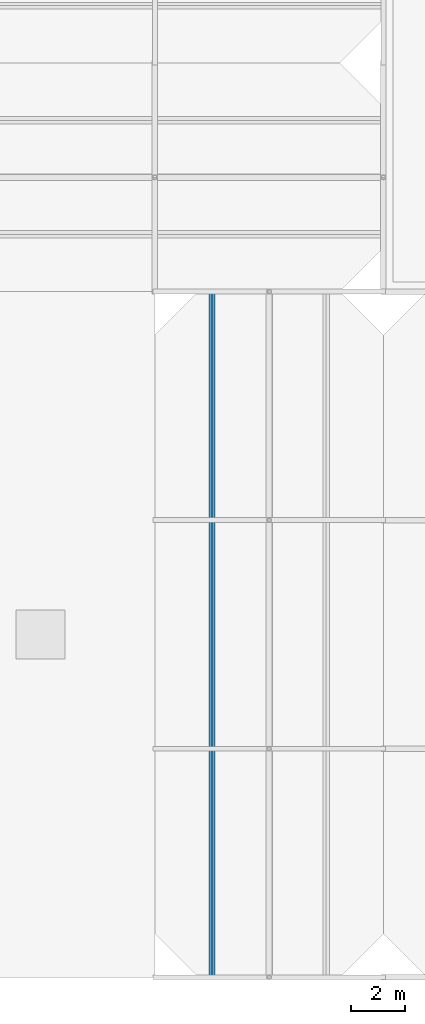
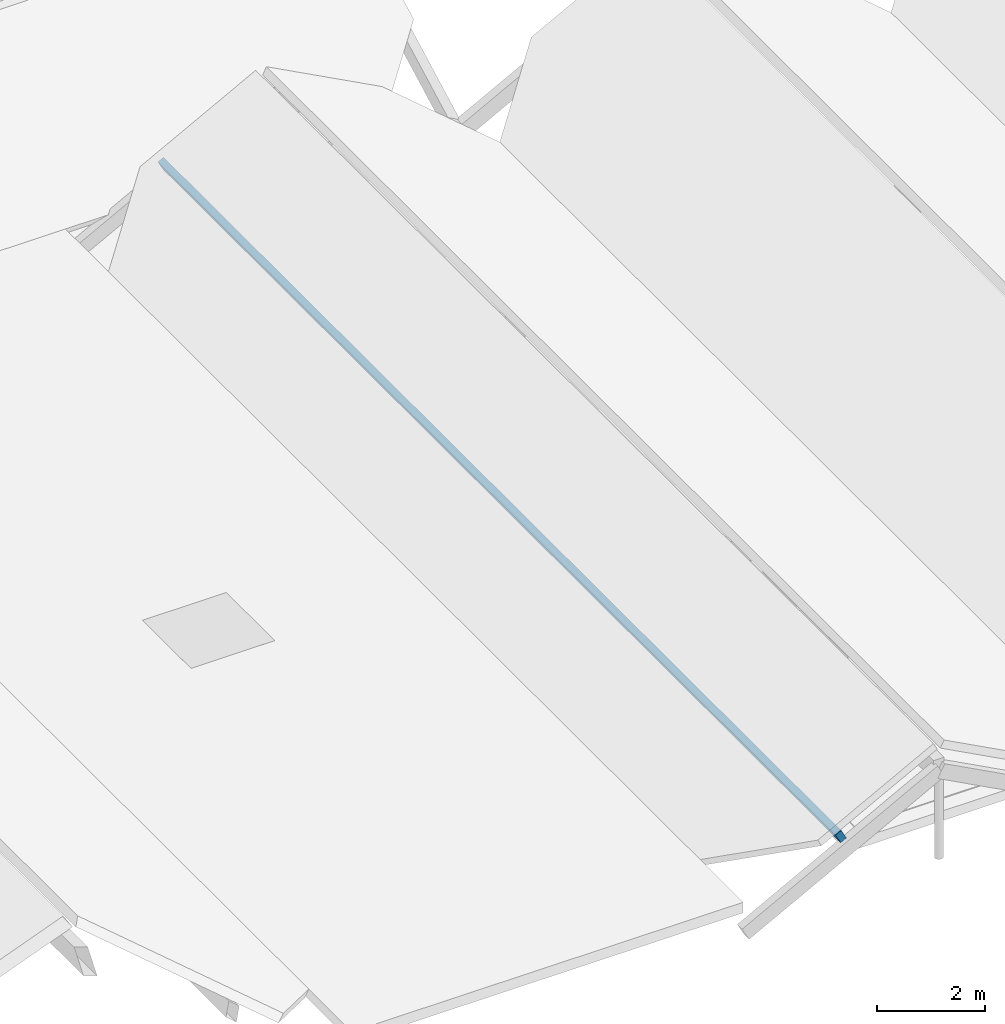
# One storey, part 18 of 82: 1 member.
"""IFC4 building model written with IfcOpenShell, lengths in metres."""

from ifc_helpers import new_model, si_unit, direction, frame, origin, origin_2d, place, context, subcontext, project, spatial, rectangle, extrude, material, material_profile, profile_set, type_object, element, save


model = new_model("IFC4")

# Units and contexts
model_context = context("Model", 3, precision=1e-05, world=origin(), true_north=direction((0.0, 1.0)))
body_context = subcontext(model_context, "Body", "Model", "MODEL_VIEW")
ifc_project = project(units=[si_unit("LENGTHUNIT", "METRE"), si_unit("AREAUNIT", "SQUARE_METRE"), si_unit("VOLUMEUNIT", "CUBIC_METRE"), si_unit("PLANEANGLEUNIT", "RADIAN"), si_unit("MASSUNIT", "GRAM", prefix="KILO")], contexts=[model_context])

# Site, building, storey
site_placement = place(None, origin())
site = spatial("IfcSite", under=ifc_project, at=site_placement, CompositionType="ELEMENT")
building_placement = place(site_placement, origin())
building = spatial("IfcBuilding", under=site, at=building_placement, Name="Bramfleet General Hospital", CompositionType="ELEMENT")
storey_placement = place(building_placement, frame((0.0, 0.0, 34.199951171875)))
storey = spatial("IfcBuildingStorey", under=building, at=storey_placement, Name="Roof", CompositionType="ELEMENT", Elevation=34.199951171875)

# Member
ifc_material = material(Name="Structural timber GL28h", Category="wood")
ifc_material_profile = material_profile(ifc_material, rectangle(XDim=0.139892578125, YDim=0.239990234375, at=origin_2d()), Name="GL28h 240x140")
ifc_profile_set = profile_set([ifc_material_profile], Name="Structural timber GL28h")
member_type = type_object("IfcMemberType", Name="MEM-PR-GL240", PredefinedType="PURLIN", material=ifc_profile_set)
member_placement = place(storey_placement, frame((111.300048828125, 0.0, 0.754638671875), z_axis=(0.0, 1.0, 0.0), x_axis=(-0.882947592859, 0.0, -0.469471562786)))
element("IfcMember", 1, at=member_placement, inside=storey, type_object=member_type, Name="Patient House PH-06 West Glulam Purlin", PredefinedType="PURLIN", context=body_context, shape_type="SweptSolid", body=[
    extrude(rectangle(XDim=0.139892578125, YDim=0.239990234375, at=origin_2d()), origin(), (0.0, 0.0, 1.0), 25.199951171875),
])

save(model, "model.ifc")
